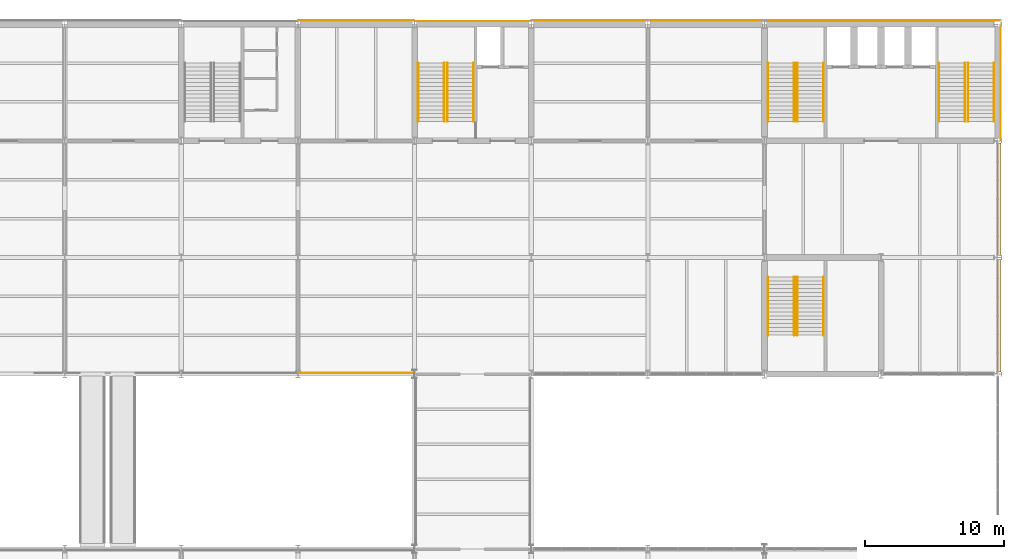
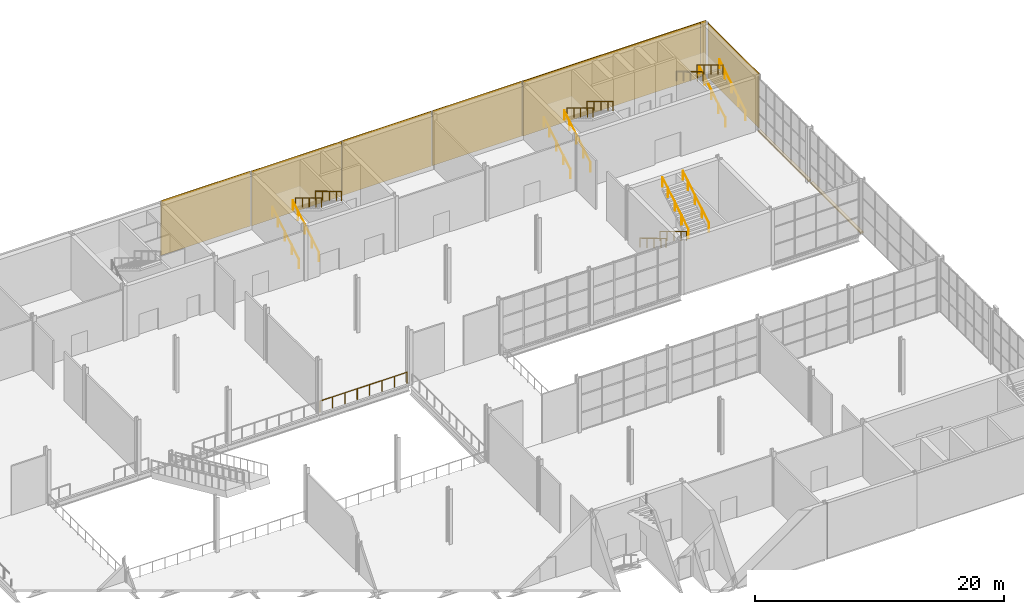
# One storey, part 61 of 64: 17 railings, 9 coverings.
"""IFC4 building model written with IfcOpenShell, lengths in metres."""

import ifcopenshell
import ifcopenshell.guid

model = None  # the IFC model being written
_history = None  # IfcOwnerHistory: only IFC2X3 demands one
_inside = {}  # id of a spatial element -> (the spatial element, [elements in it])
_under = {}  # id of a project, library or spatial element -> (it, [spatial elements below it])
_declared = {}  # id of a project -> (the project, [libraries it declares])
_typed = {}  # id of a type object -> (the type object, [elements of that type])
_made_of = {}  # id of a material, layer set ... -> (it, [elements and type objects made of it])


def new_model(schema):
    """Start an empty IFC model of exactly this schema.

    Asked for "IFC4X3", IfcOpenShell would pick the latest addendum, in which some entities
    have other attributes; the version numbers below select the first issue.
    IFC2X3 requires an IfcOwnerHistory on every rooted entity: one is made here for all.
    """
    global model, _history
    if schema == "IFC4X3":
        model = ifcopenshell.file(schema_version=(4, 3, 0, 0))
    else:
        model = ifcopenshell.file(schema=schema)
    _inside.clear()
    _under.clear()
    _declared.clear()
    _typed.clear()
    _made_of.clear()
    _history = None
    if model.schema == "IFC2X3":
        org = make("IfcOrganization", Name="unknown")
        user = make(
            "IfcPersonAndOrganization",
            ThePerson=make("IfcPerson", FamilyName="unknown"),
            TheOrganization=org,
        )
        app = make(
            "IfcApplication",
            ApplicationDeveloper=org,
            Version="unknown",
            ApplicationFullName="unknown",
            ApplicationIdentifier="unknown",
        )
        _history = make(
            "IfcOwnerHistory",
            OwningUser=user,
            OwningApplication=app,
            ChangeAction="ADDED",
            CreationDate=0,
        )
    return model


def make(cls, **values):
    """One entity of the class cls with the attributes given. An attribute that is None is left unset."""
    return model.create_entity(
        cls, **{name: value for name, value in values.items() if value is not None}
    )


def rooted(cls, **values):
    """An entity with a GlobalId (a new one), such as an element, a storey or a relation."""
    return make(cls, GlobalId=ifcopenshell.guid.new(), OwnerHistory=_history, **values)


def si_unit(unit_type, name, prefix=None):
    """IfcSIUnit, for example si_unit("LENGTHUNIT", "METRE", prefix="MILLI")."""
    return make("IfcSIUnit", UnitType=unit_type, Prefix=prefix, Name=name)


def assignment(units):
    """IfcUnitAssignment: the units of a project."""
    return None if units is None else make("IfcUnitAssignment", Units=units)


def point(xyz):
    """IfcCartesianPoint."""
    return None if xyz is None else make("IfcCartesianPoint", Coordinates=xyz)


def direction(xyz):
    """IfcDirection."""
    return None if xyz is None else make("IfcDirection", DirectionRatios=xyz)


def frame(location, z_axis=None, x_axis=None):
    """IfcAxis2Placement3D, a coordinate frame: its origin and axes. An axis left out is left unset."""
    return make(
        "IfcAxis2Placement3D",
        Location=point(location),
        Axis=direction(z_axis),
        RefDirection=direction(x_axis),
    )


def frame_2d(location, x_axis=None):
    """IfcAxis2Placement2D, a coordinate frame in the plane: its origin and x axis."""
    return make(
        "IfcAxis2Placement2D", Location=point(location), RefDirection=direction(x_axis)
    )


def origin():
    """The frame at (0, 0, 0) with its axes left unset."""
    return frame((0.0, 0.0, 0.0))


def origin_2d():
    """The frame at (0, 0) in the plane with its x axis left unset."""
    return frame_2d((0.0, 0.0))


def place(relative_to, where):
    """IfcLocalPlacement: puts the frame where relative to a parent placement (None: the world)."""
    return make(
        "IfcLocalPlacement", PlacementRelTo=relative_to, RelativePlacement=where
    )


def context(
    kind, dimensions, precision=None, world=None, true_north=None, identifier=None
):
    """IfcGeometricRepresentationContext, for example the 3D "Model" context."""
    return make(
        "IfcGeometricRepresentationContext",
        ContextIdentifier=identifier,
        ContextType=kind,
        CoordinateSpaceDimension=dimensions,
        Precision=precision,
        WorldCoordinateSystem=world,
        TrueNorth=true_north,
    )


def subcontext(parent, identifier, kind, view, scale=None):
    """IfcGeometricRepresentationSubContext, for example "Body" below "Model"."""
    return make(
        "IfcGeometricRepresentationSubContext",
        ContextIdentifier=identifier,
        ContextType=kind,
        ParentContext=parent,
        TargetScale=scale,
        TargetView=view,
    )


def project(units=None, contexts=None):
    """IfcProject with its units and contexts."""
    return rooted(
        "IfcProject",
        Name="project",
        RepresentationContexts=contexts,
        UnitsInContext=assignment(units),
    )


def spatial(cls, under=None, at=None, **own):
    """A site, building, storey or space (cls), placed at a placement, below another one or the project."""
    s = rooted(cls, ObjectPlacement=at, **own)
    if under is not None:
        _under.setdefault(under.id(), (under, []))[1].append(s)
    return s


def profile(cls, at=None, kind="AREA", **sizes):
    """A parametric profile (cls). Its sizes go by their IFC names, for example OverallWidth=200.0."""
    return make(cls, ProfileType=kind, Position=at, **sizes)


def rectangle(**sizes):
    """IfcRectangleProfileDef."""
    return profile("IfcRectangleProfileDef", **sizes)


def circle(**sizes):
    """IfcCircleProfileDef."""
    return profile("IfcCircleProfileDef", **sizes)


def extrude(swept, where, along, depth):
    """IfcExtrudedAreaSolid: the profile swept, set in the frame where, extruded along a direction by depth."""
    return make(
        "IfcExtrudedAreaSolid",
        SweptArea=swept,
        Position=where,
        ExtrudedDirection=direction(along),
        Depth=depth,
    )


def shape(context_of_items, identifier, shape_type, items):
    """IfcShapeRepresentation: the items that make up one representation, for example the "Body"."""
    return make(
        "IfcShapeRepresentation",
        ContextOfItems=context_of_items,
        RepresentationIdentifier=identifier,
        RepresentationType=shape_type,
        Items=items,
    )


def material(Name=None, Category=None):
    """IfcMaterial."""
    return make("IfcMaterial", Name=Name, Category=Category)


def layer(
    of_material, thickness, ventilated=None, Name=None, Category=None, Priority=None
):
    """IfcMaterialLayer: one layer of a wall or slab, of a material (None: an air gap)."""
    return make(
        "IfcMaterialLayer",
        Material=of_material,
        LayerThickness=thickness,
        IsVentilated=ventilated,
        Name=Name,
        Category=Category,
        Priority=Priority,
    )


def layer_set(layers, Name=None):
    """IfcMaterialLayerSet."""
    return make("IfcMaterialLayerSet", MaterialLayers=layers, LayerSetName=Name)


def made_of(thing, what):
    """Note that an element or type object is made of a material, layer set ...; save() writes the relation."""
    if what is not None:
        _made_of.setdefault(what.id(), (what, []))[1].append(thing)
    return thing


def type_object(cls, material=None, **own):
    """A type object (cls), such as IfcWallType, which elements share."""
    return made_of(rooted(cls, **own), material)


def element(
    cls,
    number,
    at=None,
    inside=None,
    cuts=None,
    type_object=None,
    material=None,
    context=None,
    identifier="Body",
    shape_type=None,
    held_by="IfcProductDefinitionShape",
    body=None,
    shapes=None,
    **own,
):
    """One element of the class cls, such as IfcWall. Its Tag is "e" and its number.

    at: its placement. inside: the storey or other place that contains it. cuts: it is an
    opening in that element (IfcRelVoidsElement). A single representation is given by context,
    identifier, shape_type and body (its items); several are given by shapes. held_by: the class
    of the entity that holds the representations. save() writes the other relations.
    """
    e = rooted(cls, Tag="e%d" % number, ObjectPlacement=at, **own)
    if body is not None:
        shapes = [shape(context, identifier, shape_type, body)]
    if shapes is not None:
        e.Representation = make(held_by, Representations=shapes)
    if inside is not None:
        _inside.setdefault(inside.id(), (inside, []))[1].append(e)
    if cuts is not None:
        rooted(
            "IfcRelVoidsElement", RelatingBuildingElement=cuts, RelatedOpeningElement=e
        )
    if type_object is not None:
        _typed.setdefault(type_object.id(), (type_object, []))[1].append(e)
    return made_of(e, material)


def aggregate(whole, parts):
    """IfcRelAggregates: a whole, such as a stair, and the parts it consists of."""
    return rooted("IfcRelAggregates", RelatingObject=whole, RelatedObjects=parts)


def save(model, path):
    """Write the relations noted so far, then the file.

    IfcRelAggregates (storeys below a building ...), IfcRelContainedInSpatialStructure (elements
    in a storey), IfcRelDefinesByType, IfcRelAssociatesMaterial and IfcRelDeclares: one each for
    every whole, place, type object, material and project.
    """
    for whole, parts in _under.values():
        aggregate(whole, parts)
    for where, things in _inside.values():
        rooted(
            "IfcRelContainedInSpatialStructure",
            RelatedElements=things,
            RelatingStructure=where,
        )
    for kind, things in _typed.values():
        rooted("IfcRelDefinesByType", RelatedObjects=things, RelatingType=kind)
    for what, things in _made_of.values():
        rooted("IfcRelAssociatesMaterial", RelatedObjects=things, RelatingMaterial=what)
    for by, libraries in _declared.values():
        rooted("IfcRelDeclares", RelatingContext=by, RelatedDefinitions=libraries)
    model.write(path)


model = new_model("IFC4")

# Units and contexts
model_context = context("Model", 3, precision=1e-05, world=origin(), true_north=direction((0.0, 1.0)))
body_context = subcontext(model_context, "Body", "Model", "MODEL_VIEW")
ifc_project = project(units=[si_unit("LENGTHUNIT", "METRE"), si_unit("AREAUNIT", "SQUARE_METRE"), si_unit("VOLUMEUNIT", "CUBIC_METRE"), si_unit("PLANEANGLEUNIT", "RADIAN"), si_unit("MASSUNIT", "GRAM", prefix="KILO")], contexts=[model_context])

# Site, building, storey
site_placement = place(None, origin())
site = spatial("IfcSite", under=ifc_project, at=site_placement, CompositionType="ELEMENT")
building_placement = place(site_placement, origin())
building = spatial("IfcBuilding", under=site, at=building_placement, Name="Galleria Vessillo Department Store", CompositionType="ELEMENT")
storey_placement = place(building_placement, frame((0.0, 0.0, 6.0)))
storey = spatial("IfcBuildingStorey", under=building, at=storey_placement, Name="L01", CompositionType="ELEMENT", Elevation=6.0)

# Railing
ifc_material_1 = material(Name="Stainless steel tube", Category="steel")
railing_type_1 = type_object("IfcRailingType", Name="Atrium edge guard 1100 mm", PredefinedType="GUARDRAIL", material=ifc_material_1)
railing_placement = place(storey_placement, frame((67.35302734375, 37.880126953125, 0.0)))
element("IfcRailing", 1, at=railing_placement, inside=storey, type_object=railing_type_1, Name="Atrium edge guard L01-11", PredefinedType="GUARDRAIL", context=body_context, shape_type="SweptSolid", body=[
    extrude(circle(Radius=0.02392578125, at=origin_2d()), frame((0.0, 0.0, 1.076171875), z_axis=(1.0, 0.0, 0.0), x_axis=(0.0, 1.0, 0.0)), (0.0, 0.0, 1.0), 8.094482421875),
    extrude(circle(Radius=0.02099609375, at=origin_2d()), origin(), (0.0, 0.0, 1.0), 1.052001953125),
    extrude(circle(Radius=0.02099609375, at=origin_2d()), frame((1.15625, 0.0, 0.0)), (0.0, 0.0, 1.0), 1.052001953125),
    extrude(circle(Radius=0.02099609375, at=origin_2d()), frame((2.312744140625, 0.0, 0.0)), (0.0, 0.0, 1.0), 1.052001953125),
    extrude(circle(Radius=0.02099609375, at=origin_2d()), frame((3.468994140625, 0.0, 0.0)), (0.0, 0.0, 1.0), 1.052001953125),
    extrude(circle(Radius=0.02099609375, at=origin_2d()), frame((4.62548828125, 0.0, 0.0)), (0.0, 0.0, 1.0), 1.052001953125),
    extrude(circle(Radius=0.02099609375, at=origin_2d()), frame((5.78173828125, 0.0, 0.0)), (0.0, 0.0, 1.0), 1.052001953125),
    extrude(circle(Radius=0.02099609375, at=origin_2d()), frame((6.938232421875, 0.0, 0.0)), (0.0, 0.0, 1.0), 1.052001953125),
    extrude(circle(Radius=0.02099609375, at=origin_2d()), frame((8.094482421875, 0.0, 0.0)), (0.0, 0.0, 1.0), 1.052001953125),
])

# Coverings
ifc_material_2 = material(Name="Lime plaster (intonaco) ochre")
ifc_layer_1 = layer(ifc_material_2, 0.030029296875)
ifc_layer_set_1 = layer_set([ifc_layer_1], Name="Lime plaster (intonaco) ochre")
covering_type_1 = type_object("IfcCoveringType", Name="Lime plaster render 30 mm", PredefinedType="CLADDING", material=ifc_layer_set_1)
covering_1_placement = place(storey_placement, frame((71.39990234375, 63.264892578125, 0.0), z_axis=(0.0, 0.0, 1.0), x_axis=(1.0, 0.0, 0.0)))
element("IfcCovering", 2, at=covering_1_placement, inside=storey, type_object=covering_type_1, Name="Wall cladding S-PN-L01-06", PredefinedType="CLADDING", context=body_context, shape_type="SweptSolid", body=[
    extrude(rectangle(XDim=8.34033203125, YDim=0.030029296875, at=origin_2d()), origin(), (0.0, 0.0, 1.0), 5.39990234375),
])
covering_2_placement = place(storey_placement, frame((79.798583984375, 63.215087890625, 0.0), z_axis=(0.0, 0.0, 1.0), x_axis=(1.0, 0.0, 0.0)))
element("IfcCovering", 3, at=covering_2_placement, inside=storey, type_object=covering_type_1, Name="Wall cladding S-CW-PC-NE-PARTY-L01", PredefinedType="CLADDING", context=body_context, shape_type="SweptSolid", body=[
    extrude(rectangle(XDim=8.3369140625, YDim=0.030029296875, at=origin_2d()), origin(), (0.0, 0.0, 1.0), 5.39990234375),
])
covering_3_placement = place(storey_placement, frame((88.199951171875, 63.264892578125, 0.0), z_axis=(0.0, 0.0, 1.0), x_axis=(1.0, 0.0, 0.0)))
element("IfcCovering", 4, at=covering_3_placement, inside=storey, type_object=covering_type_1, Name="Wall cladding S-PN-L01-07", PredefinedType="CLADDING", context=body_context, shape_type="SweptSolid", body=[
    extrude(rectangle(XDim=8.333740234375, YDim=0.030029296875, at=origin_2d()), origin(), (0.0, 0.0, 1.0), 5.39990234375),
])
covering_4_placement = place(storey_placement, frame((96.60009765625, 63.264892578125, 0.0), z_axis=(0.0, 0.0, 1.0), x_axis=(1.0, 0.0, 0.0)))
element("IfcCovering", 5, at=covering_4_placement, inside=storey, type_object=covering_type_1, Name="Wall cladding S-PN-L01-08", PredefinedType="CLADDING", context=body_context, shape_type="SweptSolid", body=[
    extrude(rectangle(XDim=8.333984375, YDim=0.030029296875, at=origin_2d()), origin(), (0.0, 0.0, 1.0), 5.39990234375),
])
covering_5_placement = place(storey_placement, frame((109.073486328125, 63.215087890625, 0.0), z_axis=(0.0, 0.0, 1.0), x_axis=(1.0, 0.0, 0.0)))
element("IfcCovering", 6, at=covering_5_placement, inside=storey, type_object=covering_type_1, Name="Wall cladding S-CW-TC-PARTY-L01", PredefinedType="CLADDING", context=body_context, shape_type="SweptSolid", body=[
    extrude(rectangle(XDim=16.48095703125, YDim=0.030029296875, at=origin_2d()), origin(), (0.0, 0.0, 1.0), 5.39990234375),
])
covering_6_placement = place(storey_placement, frame((109.298583984375, 63.264892578125, 0.0), z_axis=(0.0, 0.0, 1.0), x_axis=(1.0, 0.0, 0.0)))
element("IfcCovering", 7, at=covering_6_placement, inside=storey, type_object=covering_type_1, Name="Corner cladding L01 y=63 south/north face", PredefinedType="CLADDING", context=body_context, shape_type="SweptSolid", body=[
    extrude(rectangle(XDim=17.06298828125, YDim=0.030029296875, at=origin_2d()), origin(), (0.0, 0.0, 1.0), 5.39990234375),
])
ifc_material_3 = material(Name="Botticino limestone ashlar", Category="masonry")
ifc_layer_2 = layer(ifc_material_3, 0.14990234375)
ifc_layer_set_2 = layer_set([ifc_layer_2], Name="Botticino limestone ashlar")
covering_type_2 = type_object("IfcCoveringType", Name="Limestone slab-edge fascia 150 mm", PredefinedType="CLADDING", material=ifc_layer_set_2)
covering_7_placement = place(storey_placement, frame((117.72509765625, 42.0, -0.14990234375), z_axis=(0.0, 0.0, 1.0), x_axis=(1.0, 0.0, 0.0)))
element("IfcCovering", 8, at=covering_7_placement, inside=storey, type_object=covering_type_2, Name="Slab-edge fascia SE-N-L00-01", PredefinedType="CLADDING", context=body_context, shape_type="SweptSolid", body=[
    extrude(rectangle(XDim=0.25, YDim=8.093994140625, at=origin_2d()), origin(), (0.0, 0.0, 1.0), 0.14990234375),
])
covering_8_placement = place(storey_placement, frame((117.72509765625, 50.39990234375, -0.14990234375), z_axis=(0.0, 0.0, 1.0), x_axis=(1.0, 0.0, 0.0)))
element("IfcCovering", 9, at=covering_8_placement, inside=storey, type_object=covering_type_2, Name="Slab-edge fascia SE-N-L00-02", PredefinedType="CLADDING", context=body_context, shape_type="SweptSolid", body=[
    extrude(rectangle(XDim=0.25, YDim=8.09423828125, at=origin_2d()), origin(), (0.0, 0.0, 1.0), 0.14990234375),
])
ifc_material_4 = material(Name="Botticino limestone ashlar", Category="masonry")
ifc_layer_3 = layer(ifc_material_4, 0.030029296875)
ifc_layer_set_3 = layer_set([ifc_layer_3], Name="Botticino limestone ashlar")
covering_type_3 = type_object("IfcCoveringType", Name="Limestone wall cladding 30 mm", PredefinedType="CLADDING", material=ifc_layer_set_3)
covering_9_placement = place(storey_placement, frame((117.815185546875, 58.739990234375, 0.0), z_axis=(0.0, 0.0, 1.0), x_axis=(1.0, 0.0, 0.0)))
element("IfcCovering", 10, at=covering_9_placement, inside=storey, type_object=covering_type_3, Name="Wall cladding S-CW-TC-EAST-L01", PredefinedType="CLADDING", context=body_context, shape_type="SweptSolid", body=[
    extrude(rectangle(XDim=0.030029296875, YDim=8.2138671875, at=origin_2d()), origin(), (0.0, 0.0, 1.0), 5.39990234375),
])

# Railings
ifc_material_5 = material(Name="Stainless steel tube", Category="steel")
railing_type_2 = type_object("IfcRailingType", Name="Stair handrail steel tube 48 mm", PredefinedType="HANDRAIL", material=ifc_material_5)
for number, where, name in (
    (11, (75.860107421875, 56.0, 0.168701171875), "Handrail ST6 L01 flight 1A"),
    (12, (77.739990234375, 56.0, 0.168701171875), "Handrail ST6 L01 flight 1B"),
):
    element("IfcRailing", number, at=place(storey_placement, frame(where)), inside=storey, type_object=railing_type_2, Name=name, PredefinedType="HANDRAIL", context=body_context, shape_type="SweptSolid", body=[
        extrude(circle(Radius=0.02392578125, at=origin_2d()), frame((0.0, 0.0, 0.89599609375), z_axis=(0.0, 0.856486514401, 0.516169401116), x_axis=(-1.0, 0.0, 0.0)), (0.0, 0.0, 1.0), 1.307861328125),
        extrude(circle(Radius=0.02392578125, at=origin_2d()), frame((0.0, 1.1201171875, 1.57080078125), z_axis=(0.0, 0.856436765236, 0.516251941548), x_axis=(-1.0, 0.0, 0.0)), (0.0, 0.0, 1.0), 1.3076171875),
        extrude(circle(Radius=0.02392578125, at=origin_2d()), frame((0.0, 2.239990234375, 2.24609375), z_axis=(0.0, 0.856486514401, 0.516169401116), x_axis=(-1.0, 0.0, 0.0)), (0.0, 0.0, 1.0), 1.307861328125),
        extrude(circle(Radius=0.02392578125, at=origin_2d()), frame((0.0, 3.360107421875, 2.9208984375), z_axis=(0.0, 0.856502732318, 0.516142489563), x_axis=(-1.0, 0.0, 0.0)), (0.0, 0.0, 1.0), 0.98046875),
        extrude(circle(Radius=0.02099609375, at=origin_2d()), origin(), (0.0, 0.0, 1.0), 0.871826171875),
        extrude(circle(Radius=0.02099609375, at=origin_2d()), frame((0.0, 1.1201171875, 0.675048828125)), (0.0, 0.0, 1.0), 0.871826171875),
        extrude(circle(Radius=0.02099609375, at=origin_2d()), frame((0.0, 2.239990234375, 1.35009765625)), (0.0, 0.0, 1.0), 0.871826171875),
        extrude(circle(Radius=0.02099609375, at=origin_2d()), frame((0.0, 3.360107421875, 2.025146484375)), (0.0, 0.0, 1.0), 0.871826171875),
        extrude(circle(Radius=0.02099609375, at=origin_2d()), frame((0.0, 4.199951171875, 2.53125)), (0.0, 0.0, 1.0), 0.871826171875),
    ])
for number, where, name in (
    (13, (79.83984375, 60.199951171875, 2.86865234375), "Handrail ST6 L01 flight 2A"),
    (14, (77.9599609375, 60.199951171875, 2.86865234375), "Handrail ST6 L01 flight 2B"),
):
    element("IfcRailing", number, at=place(storey_placement, frame(where)), inside=storey, type_object=railing_type_2, Name=name, PredefinedType="HANDRAIL", context=body_context, shape_type="SweptSolid", body=[
        extrude(circle(Radius=0.02392578125, at=origin_2d()), frame((0.0, 0.0, 0.89599609375), z_axis=(0.0, -0.856486514401, 0.516169401116), x_axis=(1.0, 0.0, 0.0)), (0.0, 0.0, 1.0), 1.307861328125),
        extrude(circle(Radius=0.02392578125, at=origin_2d()), frame((0.0, -1.1201171875, 1.57080078125), z_axis=(0.0, -0.856436765236, 0.516251941548), x_axis=(1.0, 0.0, 0.0)), (0.0, 0.0, 1.0), 1.3076171875),
        extrude(circle(Radius=0.02392578125, at=origin_2d()), frame((0.0, -2.239990234375, 2.24609375), z_axis=(0.0, -0.856486514401, 0.516169401116), x_axis=(1.0, 0.0, 0.0)), (0.0, 0.0, 1.0), 1.307861328125),
        extrude(circle(Radius=0.02392578125, at=origin_2d()), frame((0.0, -3.360107421875, 2.9208984375), z_axis=(0.0, -0.856502732318, 0.516142489563), x_axis=(1.0, 0.0, 0.0)), (0.0, 0.0, 1.0), 0.98046875),
        extrude(circle(Radius=0.02099609375, at=origin_2d()), origin(), (0.0, 0.0, 1.0), 0.871826171875),
        extrude(circle(Radius=0.02099609375, at=origin_2d()), frame((0.0, -1.1201171875, 0.675048828125)), (0.0, 0.0, 1.0), 0.871826171875),
        extrude(circle(Radius=0.02099609375, at=origin_2d()), frame((0.0, -2.239990234375, 1.35009765625)), (0.0, 0.0, 1.0), 0.871826171875),
        extrude(circle(Radius=0.02099609375, at=origin_2d()), frame((0.0, -3.360107421875, 2.025146484375)), (0.0, 0.0, 1.0), 0.871826171875),
        extrude(circle(Radius=0.02099609375, at=origin_2d()), frame((0.0, -4.199951171875, 2.53125)), (0.0, 0.0, 1.0), 0.871826171875),
    ])
for number, where, name in (
    (15, (101.06005859375, 56.0, 0.168701171875), "Handrail ST8 L01 flight 1A"),
    (16, (102.93994140625, 56.0, 0.168701171875), "Handrail ST8 L01 flight 1B"),
):
    element("IfcRailing", number, at=place(storey_placement, frame(where)), inside=storey, type_object=railing_type_2, Name=name, PredefinedType="HANDRAIL", context=body_context, shape_type="SweptSolid", body=[
        extrude(circle(Radius=0.02392578125, at=origin_2d()), frame((0.0, 0.0, 0.89599609375), z_axis=(0.0, 0.856486514401, 0.516169401116), x_axis=(-1.0, 0.0, 0.0)), (0.0, 0.0, 1.0), 1.307861328125),
        extrude(circle(Radius=0.02392578125, at=origin_2d()), frame((0.0, 1.1201171875, 1.57080078125), z_axis=(0.0, 0.856436765236, 0.516251941548), x_axis=(-1.0, 0.0, 0.0)), (0.0, 0.0, 1.0), 1.3076171875),
        extrude(circle(Radius=0.02392578125, at=origin_2d()), frame((0.0, 2.239990234375, 2.24609375), z_axis=(0.0, 0.856486514401, 0.516169401116), x_axis=(-1.0, 0.0, 0.0)), (0.0, 0.0, 1.0), 1.307861328125),
        extrude(circle(Radius=0.02392578125, at=origin_2d()), frame((0.0, 3.360107421875, 2.9208984375), z_axis=(0.0, 0.856502732318, 0.516142489563), x_axis=(-1.0, 0.0, 0.0)), (0.0, 0.0, 1.0), 0.98046875),
        extrude(circle(Radius=0.02099609375, at=origin_2d()), origin(), (0.0, 0.0, 1.0), 0.871826171875),
        extrude(circle(Radius=0.02099609375, at=origin_2d()), frame((0.0, 1.1201171875, 0.675048828125)), (0.0, 0.0, 1.0), 0.871826171875),
        extrude(circle(Radius=0.02099609375, at=origin_2d()), frame((0.0, 2.239990234375, 1.35009765625)), (0.0, 0.0, 1.0), 0.871826171875),
        extrude(circle(Radius=0.02099609375, at=origin_2d()), frame((0.0, 3.360107421875, 2.025146484375)), (0.0, 0.0, 1.0), 0.871826171875),
        extrude(circle(Radius=0.02099609375, at=origin_2d()), frame((0.0, 4.199951171875, 2.53125)), (0.0, 0.0, 1.0), 0.871826171875),
    ])
for number, where, name in (
    (17, (105.0400390625, 60.199951171875, 2.86865234375), "Handrail ST8 L01 flight 2A"),
    (18, (103.16015625, 60.199951171875, 2.86865234375), "Handrail ST8 L01 flight 2B"),
):
    element("IfcRailing", number, at=place(storey_placement, frame(where)), inside=storey, type_object=railing_type_2, Name=name, PredefinedType="HANDRAIL", context=body_context, shape_type="SweptSolid", body=[
        extrude(circle(Radius=0.02392578125, at=origin_2d()), frame((0.0, 0.0, 0.89599609375), z_axis=(0.0, -0.856486514401, 0.516169401116), x_axis=(1.0, 0.0, 0.0)), (0.0, 0.0, 1.0), 1.307861328125),
        extrude(circle(Radius=0.02392578125, at=origin_2d()), frame((0.0, -1.1201171875, 1.57080078125), z_axis=(0.0, -0.856436765236, 0.516251941548), x_axis=(1.0, 0.0, 0.0)), (0.0, 0.0, 1.0), 1.3076171875),
        extrude(circle(Radius=0.02392578125, at=origin_2d()), frame((0.0, -2.239990234375, 2.24609375), z_axis=(0.0, -0.856486514401, 0.516169401116), x_axis=(1.0, 0.0, 0.0)), (0.0, 0.0, 1.0), 1.307861328125),
        extrude(circle(Radius=0.02392578125, at=origin_2d()), frame((0.0, -3.360107421875, 2.9208984375), z_axis=(0.0, -0.856502732318, 0.516142489563), x_axis=(1.0, 0.0, 0.0)), (0.0, 0.0, 1.0), 0.98046875),
        extrude(circle(Radius=0.02099609375, at=origin_2d()), origin(), (0.0, 0.0, 1.0), 0.871826171875),
        extrude(circle(Radius=0.02099609375, at=origin_2d()), frame((0.0, -1.1201171875, 0.675048828125)), (0.0, 0.0, 1.0), 0.871826171875),
        extrude(circle(Radius=0.02099609375, at=origin_2d()), frame((0.0, -2.239990234375, 1.35009765625)), (0.0, 0.0, 1.0), 0.871826171875),
        extrude(circle(Radius=0.02099609375, at=origin_2d()), frame((0.0, -3.360107421875, 2.025146484375)), (0.0, 0.0, 1.0), 0.871826171875),
        extrude(circle(Radius=0.02099609375, at=origin_2d()), frame((0.0, -4.199951171875, 2.53125)), (0.0, 0.0, 1.0), 0.871826171875),
    ])
for number, where, name in (
    (19, (115.4599609375, 56.0, 0.168701171875), "Handrail ST9 L01 flight 1A"),
    (20, (117.33984375, 56.0, 0.168701171875), "Handrail ST9 L01 flight 1B"),
):
    element("IfcRailing", number, at=place(storey_placement, frame(where)), inside=storey, type_object=railing_type_2, Name=name, PredefinedType="HANDRAIL", context=body_context, shape_type="SweptSolid", body=[
        extrude(circle(Radius=0.02392578125, at=origin_2d()), frame((0.0, 0.0, 0.89599609375), z_axis=(0.0, 0.856486514401, 0.516169401116), x_axis=(-1.0, 0.0, 0.0)), (0.0, 0.0, 1.0), 1.307861328125),
        extrude(circle(Radius=0.02392578125, at=origin_2d()), frame((0.0, 1.1201171875, 1.57080078125), z_axis=(0.0, 0.856436765236, 0.516251941548), x_axis=(-1.0, 0.0, 0.0)), (0.0, 0.0, 1.0), 1.3076171875),
        extrude(circle(Radius=0.02392578125, at=origin_2d()), frame((0.0, 2.239990234375, 2.24609375), z_axis=(0.0, 0.856486514401, 0.516169401116), x_axis=(-1.0, 0.0, 0.0)), (0.0, 0.0, 1.0), 1.307861328125),
        extrude(circle(Radius=0.02392578125, at=origin_2d()), frame((0.0, 3.360107421875, 2.9208984375), z_axis=(0.0, 0.856502732318, 0.516142489563), x_axis=(-1.0, 0.0, 0.0)), (0.0, 0.0, 1.0), 0.98046875),
        extrude(circle(Radius=0.02099609375, at=origin_2d()), origin(), (0.0, 0.0, 1.0), 0.871826171875),
        extrude(circle(Radius=0.02099609375, at=origin_2d()), frame((0.0, 1.1201171875, 0.675048828125)), (0.0, 0.0, 1.0), 0.871826171875),
        extrude(circle(Radius=0.02099609375, at=origin_2d()), frame((0.0, 2.239990234375, 1.35009765625)), (0.0, 0.0, 1.0), 0.871826171875),
        extrude(circle(Radius=0.02099609375, at=origin_2d()), frame((0.0, 3.360107421875, 2.025146484375)), (0.0, 0.0, 1.0), 0.871826171875),
        extrude(circle(Radius=0.02099609375, at=origin_2d()), frame((0.0, 4.199951171875, 2.53125)), (0.0, 0.0, 1.0), 0.871826171875),
    ])
for number, where, name in (
    (21, (115.239990234375, 60.199951171875, 2.86865234375), "Handrail ST9 L01 flight 2A"),
    (22, (113.360107421875, 60.199951171875, 2.86865234375), "Handrail ST9 L01 flight 2B"),
    (23, (102.93994140625, 44.800048828125, 0.168701171875), "Handrail ST12 L01 flight 1A"),
    (24, (101.06005859375, 44.800048828125, 0.168701171875), "Handrail ST12 L01 flight 1B"),
):
    element("IfcRailing", number, at=place(storey_placement, frame(where)), inside=storey, type_object=railing_type_2, Name=name, PredefinedType="HANDRAIL", context=body_context, shape_type="SweptSolid", body=[
        extrude(circle(Radius=0.02392578125, at=origin_2d()), frame((0.0, 0.0, 0.89599609375), z_axis=(0.0, -0.856486514401, 0.516169401116), x_axis=(1.0, 0.0, 0.0)), (0.0, 0.0, 1.0), 1.307861328125),
        extrude(circle(Radius=0.02392578125, at=origin_2d()), frame((0.0, -1.1201171875, 1.57080078125), z_axis=(0.0, -0.856436765236, 0.516251941548), x_axis=(1.0, 0.0, 0.0)), (0.0, 0.0, 1.0), 1.3076171875),
        extrude(circle(Radius=0.02392578125, at=origin_2d()), frame((0.0, -2.239990234375, 2.24609375), z_axis=(0.0, -0.856486514401, 0.516169401116), x_axis=(1.0, 0.0, 0.0)), (0.0, 0.0, 1.0), 1.307861328125),
        extrude(circle(Radius=0.02392578125, at=origin_2d()), frame((0.0, -3.360107421875, 2.9208984375), z_axis=(0.0, -0.856502732318, 0.516142489563), x_axis=(1.0, 0.0, 0.0)), (0.0, 0.0, 1.0), 0.98046875),
        extrude(circle(Radius=0.02099609375, at=origin_2d()), origin(), (0.0, 0.0, 1.0), 0.871826171875),
        extrude(circle(Radius=0.02099609375, at=origin_2d()), frame((0.0, -1.1201171875, 0.675048828125)), (0.0, 0.0, 1.0), 0.871826171875),
        extrude(circle(Radius=0.02099609375, at=origin_2d()), frame((0.0, -2.239990234375, 1.35009765625)), (0.0, 0.0, 1.0), 0.871826171875),
        extrude(circle(Radius=0.02099609375, at=origin_2d()), frame((0.0, -3.360107421875, 2.025146484375)), (0.0, 0.0, 1.0), 0.871826171875),
        extrude(circle(Radius=0.02099609375, at=origin_2d()), frame((0.0, -4.199951171875, 2.53125)), (0.0, 0.0, 1.0), 0.871826171875),
    ])
for number, where, name in (
    (25, (103.16015625, 40.60009765625, 2.86865234375), "Handrail ST12 L01 flight 2A"),
    (26, (105.0400390625, 40.60009765625, 2.86865234375), "Handrail ST12 L01 flight 2B"),
):
    element("IfcRailing", number, at=place(storey_placement, frame(where)), inside=storey, type_object=railing_type_2, Name=name, PredefinedType="HANDRAIL", context=body_context, shape_type="SweptSolid", body=[
        extrude(circle(Radius=0.02392578125, at=origin_2d()), frame((0.0, 0.0, 0.89599609375), z_axis=(0.0, 0.856486514401, 0.516169401116), x_axis=(-1.0, 0.0, 0.0)), (0.0, 0.0, 1.0), 1.307861328125),
        extrude(circle(Radius=0.02392578125, at=origin_2d()), frame((0.0, 1.1201171875, 1.57080078125), z_axis=(0.0, 0.856436765236, 0.516251941548), x_axis=(-1.0, 0.0, 0.0)), (0.0, 0.0, 1.0), 1.3076171875),
        extrude(circle(Radius=0.02392578125, at=origin_2d()), frame((0.0, 2.239990234375, 2.24609375), z_axis=(0.0, 0.856486514401, 0.516169401116), x_axis=(-1.0, 0.0, 0.0)), (0.0, 0.0, 1.0), 1.307861328125),
        extrude(circle(Radius=0.02392578125, at=origin_2d()), frame((0.0, 3.360107421875, 2.9208984375), z_axis=(0.0, 0.856502732318, 0.516142489563), x_axis=(-1.0, 0.0, 0.0)), (0.0, 0.0, 1.0), 0.98046875),
        extrude(circle(Radius=0.02099609375, at=origin_2d()), origin(), (0.0, 0.0, 1.0), 0.871826171875),
        extrude(circle(Radius=0.02099609375, at=origin_2d()), frame((0.0, 1.1201171875, 0.675048828125)), (0.0, 0.0, 1.0), 0.871826171875),
        extrude(circle(Radius=0.02099609375, at=origin_2d()), frame((0.0, 2.239990234375, 1.35009765625)), (0.0, 0.0, 1.0), 0.871826171875),
        extrude(circle(Radius=0.02099609375, at=origin_2d()), frame((0.0, 3.360107421875, 2.025146484375)), (0.0, 0.0, 1.0), 0.871826171875),
        extrude(circle(Radius=0.02099609375, at=origin_2d()), frame((0.0, 4.199951171875, 2.53125)), (0.0, 0.0, 1.0), 0.871826171875),
    ])

save(model, "model.ifc")
